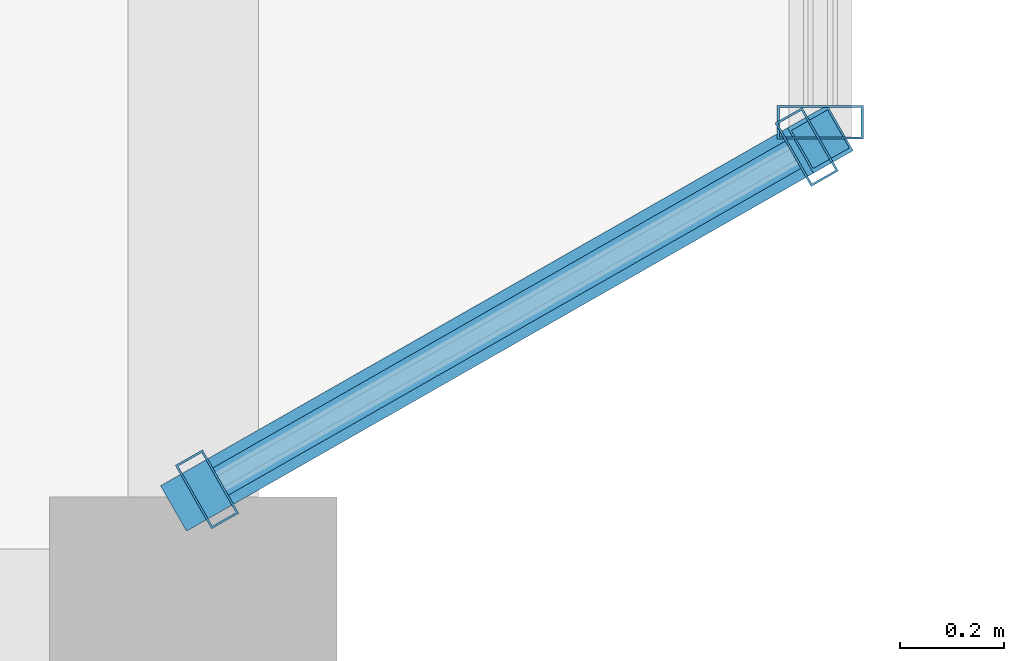
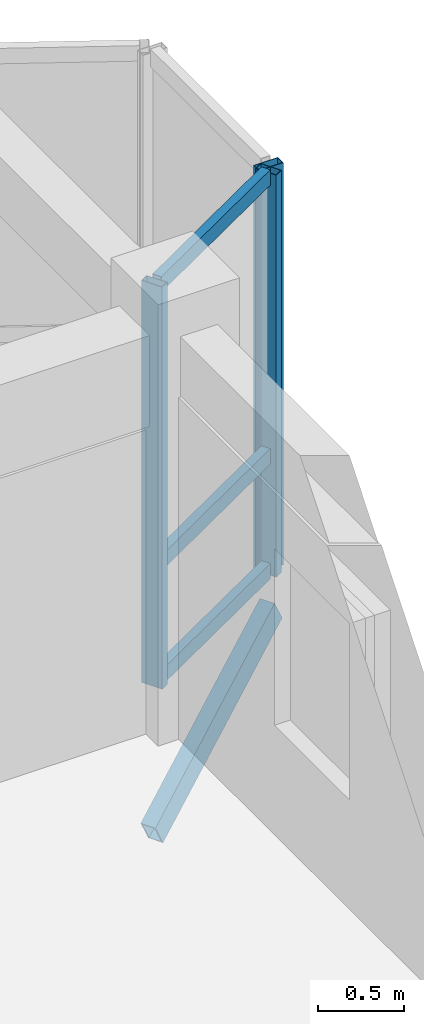
# One storey, part 8 of 77: 7 members, 2 elements without a shape of their own.
"""IFC4 building model written with IfcOpenShell, lengths in metres."""

from ifc_helpers import new_model, si_unit, direction, frame, origin, origin_2d, place, context, subcontext, project, spatial, hollow_rectangle, extrude, material, layer, layer_set, material_profile, profile_set, type_object, element, aggregate, save


model = new_model("IFC4")

# Units and contexts
model_context = context("Model", 3, precision=1e-05, world=origin(), true_north=direction((0.0, 1.0)))
body_context = subcontext(model_context, "Body", "Model", "MODEL_VIEW")
ifc_project = project(units=[si_unit("LENGTHUNIT", "METRE"), si_unit("AREAUNIT", "SQUARE_METRE"), si_unit("VOLUMEUNIT", "CUBIC_METRE"), si_unit("PLANEANGLEUNIT", "RADIAN"), si_unit("MASSUNIT", "GRAM", prefix="KILO"), si_unit("THERMODYNAMICTEMPERATUREUNIT", "KELVIN"), si_unit("POWERUNIT", "WATT")], contexts=[model_context])

# Site, building, storey
site_placement = place(None, origin())
site = spatial("IfcSite", under=ifc_project, at=site_placement, CompositionType="ELEMENT")
building_placement = place(site_placement, origin())
building = spatial("IfcBuilding", under=site, at=building_placement, Name="Tavuni Mirador Residences", CompositionType="ELEMENT")
storey_placement = place(building_placement, frame((0.0, 0.0, 10.800048828125)))
storey = spatial("IfcBuildingStorey", under=building, at=storey_placement, Name="L03", CompositionType="ELEMENT", Elevation=10.800048828125)

# Curtain wall, members
ifc_material_1 = material(Name="Anodised aluminium", Category="aluminium")
ifc_layer_1 = layer(ifc_material_1, 0.1650390625, Name="Anodised aluminium", Category="aluminium")
ifc_layer_set_1 = layer_set([ifc_layer_1], Name="Anodised aluminium")
curtain_wall_type_1 = type_object("IfcCurtainWallType", Name="CWT-MIR-A", PredefinedType="NOTDEFINED", material=ifc_layer_set_1)
curtain_wall_1_placement = place(storey_placement, origin())
curtain_wall_1 = element("IfcCurtainWall", 1, at=curtain_wall_1_placement, inside=storey, type_object=curtain_wall_type_1, Name="CW-MIR-A-E2-L03-M1", PredefinedType="NOTDEFINED")
ifc_material_profile_1 = material_profile(ifc_material_1, hollow_rectangle(XDim=0.06005859375, YDim=0.139892578125, WallThickness=0.00390625, at=origin_2d()), Name="ALU 60x140x4.0", Category="aluminium")
ifc_profile_set_1 = profile_set([ifc_material_profile_1], Name="Anodised aluminium")
member_type_1 = type_object("IfcMemberType", Name="CWM-140", PredefinedType="MULLION", material=ifc_profile_set_1)
member_1_placement = place(storey_placement, frame((32.426025390625, 21.889892578125, 0.0), z_axis=(0.0, 0.0, 1.0), x_axis=(0.868465738194, 0.495749192217, 0.0)))
member_1 = element("IfcMember", 2, at=member_1_placement, type_object=member_type_1, Name="CW-01 mullion 1", PredefinedType="MULLION", context=body_context, shape_type="SweptSolid", body=[
    extrude(hollow_rectangle(XDim=0.06005859375, YDim=0.139892578125, WallThickness=0.00390625, at=origin_2d()), origin(), (0.0, 0.0, 1.0), 2.869873046875),
])
member_2_placement = place(storey_placement, frame((33.573974609375, 22.545166015625, 0.0), z_axis=(0.0, 0.0, 1.0), x_axis=(0.868465738194, 0.495749192217, 0.0)))
member_2 = element("IfcMember", 3, at=member_2_placement, type_object=member_type_1, Name="CW-01 mullion 2", PredefinedType="MULLION", context=body_context, shape_type="SweptSolid", body=[
    extrude(hollow_rectangle(XDim=0.06005859375, YDim=0.139892578125, WallThickness=0.00390625, at=origin_2d()), origin(), (0.0, 0.0, 1.0), 2.869873046875),
])

# Curtain wall, member
ifc_layer_2 = layer(ifc_material_1, 0.14990234375, Name="Anodised aluminium", Category="aluminium")
ifc_layer_set_2 = layer_set([ifc_layer_2], Name="Anodised aluminium")
curtain_wall_type_2 = type_object("IfcCurtainWallType", Name="CWT-MIR-B", PredefinedType="NOTDEFINED", material=ifc_layer_set_2)
curtain_wall_2_placement = place(storey_placement, origin())
curtain_wall_2 = element("IfcCurtainWall", 4, at=curtain_wall_2_placement, inside=storey, type_object=curtain_wall_type_2, Name="CW-MIR-A-E2-L03-MF", PredefinedType="NOTDEFINED")
ifc_material_profile_2 = material_profile(ifc_material_1, hollow_rectangle(XDim=0.06494140625, YDim=0.1650390625, WallThickness=0.00439453125, at=origin_2d()), Name="ALU 65x165x4.5", Category="aluminium")
ifc_profile_set_2 = profile_set([ifc_material_profile_2], Name="Anodised aluminium")
member_type_2 = type_object("IfcMemberType", Name="CWM-165", PredefinedType="MULLION", material=ifc_profile_set_2)
member_3_placement = place(storey_placement, frame((33.60009765625, 22.592529296875, 0.0), z_axis=(0.0, 0.0, 1.0), x_axis=(0.0, 1.0, 0.0)))
member_3 = element("IfcMember", 5, at=member_3_placement, type_object=member_type_2, Name="CW-02 mullion 1", PredefinedType="MULLION", context=body_context, shape_type="SweptSolid", body=[
    extrude(hollow_rectangle(XDim=0.06494140625, YDim=0.1650390625, WallThickness=0.00439453125, at=origin_2d()), origin(), (0.0, 0.0, 1.0), 2.869873046875),
])
aggregate(curtain_wall_2, [member_3])

# Member
ifc_material_profile_3 = material_profile(ifc_material_1, hollow_rectangle(XDim=0.06005859375, YDim=0.110107421875, WallThickness=0.00390625, at=origin_2d()), Name="ALU 60x110x4.0", Category="aluminium")
ifc_profile_set_3 = profile_set([ifc_material_profile_3], Name="Anodised aluminium")
member_type_3 = type_object("IfcMemberType", Name="CWT-110", PredefinedType="USERDEFINED", material=ifc_profile_set_3)
member_4_placement = place(storey_placement, frame((32.4521484375, 21.90478515625, 0.030029296875), z_axis=(0.868457406816, 0.495763787046, 0.0), x_axis=(-0.495763787046, 0.868457406816, 0.0)))
member_4 = element("IfcMember", 6, at=member_4_placement, type_object=member_type_3, Name="CW-01 transom 1.1", ObjectType="TRANSOM", PredefinedType="USERDEFINED", context=body_context, shape_type="SweptSolid", body=[
    extrude(hollow_rectangle(XDim=0.06005859375, YDim=0.110107421875, WallThickness=0.00390625, at=origin_2d()), origin(), (0.0, 0.0, 1.0), 1.26171875),
])

member_5_placement = place(storey_placement, frame((32.4521484375, 21.90478515625, 0.849853515625), z_axis=(0.868457406816, 0.495763787046, 0.0), x_axis=(-0.495763787046, 0.868457406816, 0.0)))
member_5 = element("IfcMember", 7, at=member_5_placement, type_object=member_type_3, Name="CW-01 transom 1.2", ObjectType="TRANSOM", PredefinedType="USERDEFINED", context=body_context, shape_type="SweptSolid", body=[
    extrude(hollow_rectangle(XDim=0.06005859375, YDim=0.110107421875, WallThickness=0.00390625, at=origin_2d()), origin(), (0.0, 0.0, 1.0), 1.26171875),
])

member_6_placement = place(storey_placement, frame((32.4521484375, 21.90478515625, 2.83984375), z_axis=(0.868457406816, 0.495763787046, 0.0), x_axis=(-0.495763787046, 0.868457406816, 0.0)))
member_6 = element("IfcMember", 8, at=member_6_placement, type_object=member_type_3, Name="CW-01 transom 1.3", ObjectType="TRANSOM", PredefinedType="USERDEFINED", context=body_context, shape_type="SweptSolid", body=[
    extrude(hollow_rectangle(XDim=0.06005859375, YDim=0.110107421875, WallThickness=0.00390625, at=origin_2d()), origin(), (0.0, 0.0, 1.0), 1.26171875),
])

aggregate(curtain_wall_1, [member_1, member_2, member_4, member_5, member_6])

ifc_material_2 = material(Name="Structural steel S355", Category="steel")
ifc_material_profile_4 = material_profile(ifc_material_2, hollow_rectangle(XDim=0.10009765625, YDim=0.179931640625, WallThickness=0.008056640625, at=origin_2d()), Name="RHS 180x100x8.0", Category="steel")
ifc_profile_set_4 = profile_set([ifc_material_profile_4], Name="Structural steel S355")
member_type_4 = type_object("IfcMemberType", Name="MT-BR-RHS180", PredefinedType="BRACE", material=ifc_profile_set_4)
member_7_placement = place(storey_placement, frame((32.39990234375, 21.875, -1.050048828125), z_axis=(0.758659970715, 0.433034962942, 0.486739940528), x_axis=(-0.495720321961, 0.868482217662, 0.0)))
element("IfcMember", 9, at=member_7_placement, inside=storey, type_object=member_type_4, Name="MBRK-MIR-A-E2-L03-1", PredefinedType="BRACE", context=body_context, shape_type="SweptSolid", body=[
    extrude(hollow_rectangle(XDim=0.10009765625, YDim=0.179931640625, WallThickness=0.008056640625, at=origin_2d()), origin(), (0.0, 0.0, 1.0), 1.58203125),
])

save(model, "model.ifc")
